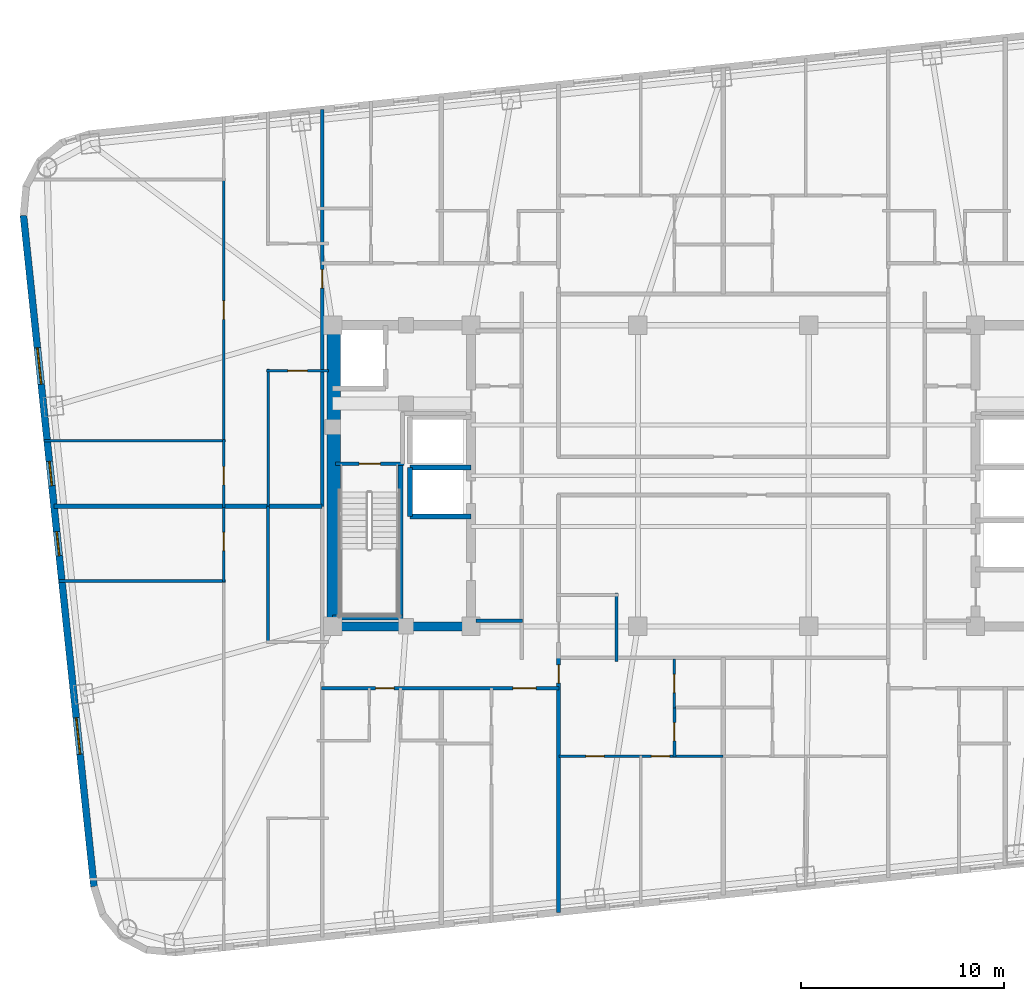
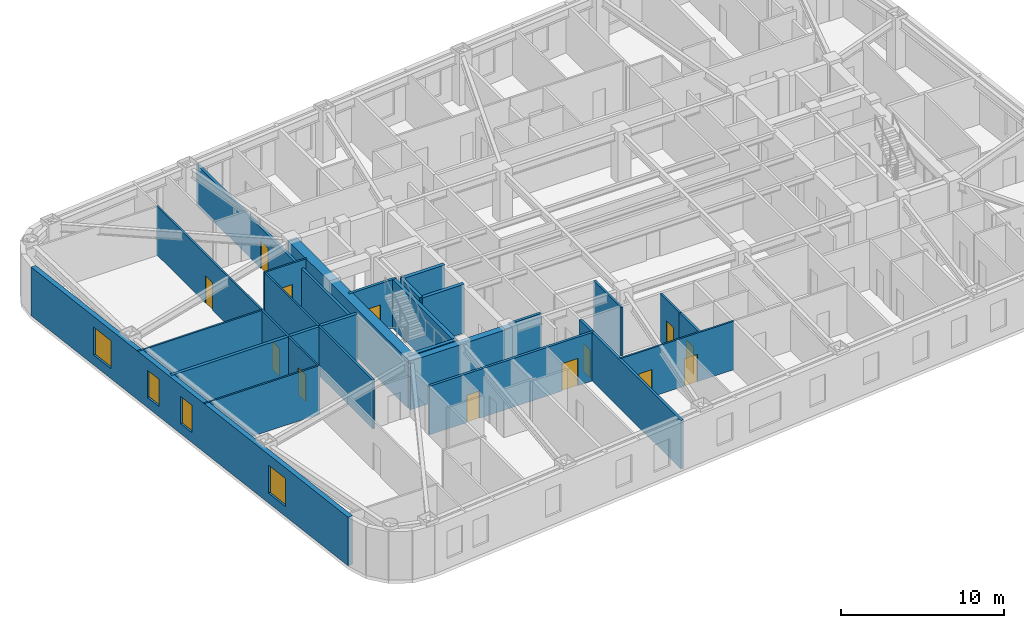
# One storey, part 3 of 11: 26 walls, 13 doors, 4 windows, 17 openings.
"""IFC4 building model written with IfcOpenShell, lengths in metres."""

from ifc_helpers import new_model, si_unit, direction, frame, frame_2d, origin, place, context, subcontext, project, spatial, rectangle, extrude, material, layer, layer_set, type_object, element, fill, save


model = new_model("IFC4")

# Units and contexts
model_context = context("Model", 3, precision=1e-05, world=origin(), true_north=direction((0.0, 1.0)))
body_context = subcontext(model_context, "Body", "Model", "MODEL_VIEW")
ifc_project = project(units=[si_unit("LENGTHUNIT", "METRE"), si_unit("AREAUNIT", "SQUARE_METRE"), si_unit("VOLUMEUNIT", "CUBIC_METRE"), si_unit("PLANEANGLEUNIT", "RADIAN"), si_unit("MASSUNIT", "GRAM", prefix="KILO")], contexts=[model_context])

# Site, building, storey
site_placement = place(None, origin())
site = spatial("IfcSite", under=ifc_project, at=site_placement, CompositionType="ELEMENT")
building_placement = place(site_placement, origin())
building = spatial("IfcBuilding", under=site, at=building_placement, Name="Voryun Gate Residences", CompositionType="ELEMENT")
storey_placement = place(building_placement, frame((0.0, 0.0, 156.0)))
storey = spatial("IfcBuildingStorey", under=building, at=storey_placement, Name="L38", CompositionType="ELEMENT", Elevation=156.0)

# Walls
ifc_material_1 = material(Name="Concrete C50/60", Category="concrete")
ifc_layer_1 = layer(ifc_material_1, 0.449951171875, Name="CW_CORE_450")
ifc_layer_set_1 = layer_set([ifc_layer_1], Name="Concrete C50/60")
wall_type_1 = type_object("IfcWallType", Name="CW_CORE_450", PredefinedType="SHEAR", material=ifc_layer_set_1)
wall_1_placement = place(storey_placement, frame((-19.425048828125, -7.39990234375, 0.0), z_axis=(0.0, 0.0, 1.0), x_axis=(1.0, 0.0, 0.0)))
element("IfcWall", 1, at=wall_1_placement, inside=storey, type_object=wall_type_1, Name="L38 Core shear wall CW-L38-WS", PredefinedType="SHEAR", context=body_context, shape_type="SweptSolid", body=[
    extrude(rectangle(XDim=7.25, YDim=0.449951171875, at=frame_2d((3.625, 0.0))), origin(), (0.0, 0.0, 1.0), 3.64990234375),
])
ifc_material_2 = material(Name="Concrete C60/75", Category="concrete")
ifc_layer_2 = layer(ifc_material_2, 0.64990234375, Name="CW_CORE_650")
ifc_layer_set_2 = layer_set([ifc_layer_2], Name="Concrete C60/75")
wall_type_2 = type_object("IfcWallType", Name="CW_CORE_650", PredefinedType="SHEAR", material=ifc_layer_set_2)
wall_2_placement = place(storey_placement, frame((-19.14501953125, -7.39990234375, 0.0), z_axis=(0.0, 0.0, 1.0), x_axis=(0.0, 1.0, 0.0)))
element("IfcWall", 2, at=wall_2_placement, inside=storey, type_object=wall_type_2, Name="L38 Core shear wall CW-L38-WW", PredefinedType="SHEAR", context=body_context, shape_type="SweptSolid", body=[
    extrude(rectangle(XDim=14.7998046875, YDim=0.64990234375, at=frame_2d((7.39990234375, 0.0))), origin(), (0.0, 0.0, 1.0), 3.64990234375),
])

# Wall, opening, door
ifc_material_3 = material(Name="Gypsum acoustic fireboard")
ifc_layer_3 = layer(ifc_material_3, 0.179931640625, Name="W_CORR_RATED_180")
ifc_layer_set_3 = layer_set([ifc_layer_3], Name="Gypsum acoustic fireboard")
wall_type_3 = type_object("IfcWallType", Name="W_CORR_RATED_180", PredefinedType="PARTITIONING", material=ifc_layer_set_3)
wall_3_placement = place(storey_placement, frame((-19.06005859375, 0.60009765625, 0.0), z_axis=(0.0, 0.0, 1.0), x_axis=(1.0, 0.0, 0.0)))
wall_3 = element("IfcWall", 3, at=wall_3_placement, inside=storey, type_object=wall_type_3, Name="Partition wall WP-L38-STV-W", PredefinedType="PARTITIONING", context=body_context, shape_type="SweptSolid", body=[
    extrude(rectangle(XDim=3.360107421875, YDim=0.179931640625, at=frame_2d((1.68017578125, 0.0))), origin(), (0.0, 0.0, 1.0), 3.64990234375),
])
opening_1_placement = place(wall_3_placement, frame((1.155029296875, 0.0, 0.0)))
opening_1 = element("IfcOpeningElement", 4, at=opening_1_placement, cuts=wall_3, Name="Opening D-FD60-1", PredefinedType="OPENING", context=body_context, shape_type="SweptSolid", body=[
    extrude(rectangle(XDim=1.050048828125, YDim=2.050048828125, at=frame_2d((0.52490234375, 1.02490234375))), frame((0.0, 0.099853515625, 0.0), z_axis=(0.0, -1.0, 0.0), x_axis=(1.0, 0.0, 0.0)), (0.0, 0.0, 1.0), 0.199951171875),
])
ifc_material_4 = material(Name="Painted steel fire door", Category="steel")
door_type_1 = type_object("IfcDoorType", Name="DR_FD60_STAIR_1050", OperationType="NOTDEFINED", PredefinedType="DOOR", material=ifc_material_4)
door_1_placement = place(opening_1_placement, origin())
door_1 = element("IfcDoor", 5, at=door_1_placement, inside=storey, type_object=door_type_1, Name="Door DR-L38-ST-W", OperationType="SINGLE_SWING_LEFT", OverallHeight=2.050048828125, OverallWidth=1.050048828125, PredefinedType="DOOR", context=body_context, shape_type="SweptSolid", body=[
    extrude(rectangle(XDim=1.050048828125, YDim=2.050048828125, at=frame_2d((0.52490234375, 1.02490234375))), frame((0.0, 0.02490234375, 0.0), z_axis=(0.0, -1.0, 0.0), x_axis=(1.0, 0.0, 0.0)), (0.0, 0.0, 1.0), 0.050048828125),
])
fill(opening_1, door_1)

# Wall
wall_4_placement = place(storey_placement, frame((-12.14990234375, -7.1201171875, 0.0), z_axis=(0.0, 0.0, 1.0), x_axis=(1.0, 0.0, 0.0)))
element("IfcWall", 6, at=wall_4_placement, inside=storey, type_object=wall_type_3, Name="Partition wall WP-L38-PLBS-W", PredefinedType="PARTITIONING", context=body_context, shape_type="SweptSolid", body=[
    extrude(rectangle(XDim=2.27001953125, YDim=0.179931640625, at=frame_2d((1.135009765625, 0.0))), origin(), (0.0, 0.0, 1.0), 3.64990234375),
])

# Wall, openings, doors
wall_5_placement = place(storey_placement, frame((-19.75, -10.449951171875, 0.0), z_axis=(0.0, 0.0, 1.0), x_axis=(1.0, 0.0, 0.0)))
wall_5 = element("IfcWall", 7, at=wall_5_placement, inside=storey, type_object=wall_type_3, Name="Partition wall WP-L38-SCORR-W", PredefinedType="PARTITIONING", context=body_context, shape_type="SweptSolid", body=[
    extrude(rectangle(XDim=11.669921875, YDim=0.179931640625, at=frame_2d((5.8349609375, 0.0))), origin(), (0.0, 0.0, 1.0), 3.64990234375),
])
opening_2_placement = place(wall_5_placement, frame((2.66357421875, 0.0, 0.0)))
opening_2 = element("IfcOpeningElement", 8, at=opening_2_placement, cuts=wall_5, Name="Opening D-INT-2", PredefinedType="OPENING", context=body_context, shape_type="SweptSolid", body=[
    extrude(rectangle(XDim=0.89990234375, YDim=2.050048828125, at=frame_2d((0.449951171875, 1.02490234375))), frame((0.0, 0.099853515625, 0.0), z_axis=(0.0, -1.0, 0.0), x_axis=(1.0, 0.0, 0.0)), (0.0, 0.0, 1.0), 0.199951171875),
])
opening_3_placement = place(wall_5_placement, frame((9.404052734375, 0.0, 0.0)))
opening_3 = element("IfcOpeningElement", 9, at=opening_3_placement, cuts=wall_5, Name="Opening D-UNIT-1", PredefinedType="OPENING", context=body_context, shape_type="SweptSolid", body=[
    extrude(rectangle(XDim=1.14990234375, YDim=2.050048828125, at=frame_2d((0.574951171875, 1.02490234375))), frame((0.0, 0.099853515625, 0.0), z_axis=(0.0, -1.0, 0.0), x_axis=(1.0, 0.0, 0.0)), (0.0, 0.0, 1.0), 0.199951171875),
])
ifc_material_5 = material(Name="Architectural oak veneer")
door_type_2 = type_object("IfcDoorType", Name="DR_INT_BATH_900", OperationType="NOTDEFINED", PredefinedType="DOOR", material=ifc_material_5)
door_2_placement = place(opening_2_placement, origin())
door_2 = element("IfcDoor", 10, at=door_2_placement, inside=storey, type_object=door_type_2, Name="Door DR-L38-SENT-1", OperationType="SINGLE_SWING_RIGHT", OverallHeight=2.050048828125, OverallWidth=0.89990234375, PredefinedType="DOOR", context=body_context, shape_type="SweptSolid", body=[
    extrude(rectangle(XDim=0.89990234375, YDim=2.050048828125, at=frame_2d((0.449951171875, 1.02490234375))), frame((0.0, 0.02490234375, 0.0), z_axis=(0.0, -1.0, 0.0), x_axis=(1.0, 0.0, 0.0)), (0.0, 0.0, 1.0), 0.050048828125),
])
fill(opening_2, door_2)
ifc_material_6 = material(Name="Armoured timber-clad fire door", Category="wood")
door_type_3 = type_object("IfcDoorType", Name="DR_UNIT_ENTRY_1150", OperationType="NOTDEFINED", PredefinedType="DOOR", material=ifc_material_6)
door_3_placement = place(opening_3_placement, origin())
door_3 = element("IfcDoor", 11, at=door_3_placement, inside=storey, type_object=door_type_3, Name="Door DR-L38-SENT-2", OperationType="SINGLE_SWING_LEFT", OverallHeight=2.050048828125, OverallWidth=1.14990234375, PredefinedType="DOOR", context=body_context, shape_type="SweptSolid", body=[
    extrude(rectangle(XDim=1.14990234375, YDim=2.050048828125, at=frame_2d((0.574951171875, 1.02490234375))), frame((0.0, 0.02490234375, 0.0), z_axis=(0.0, -1.0, 0.0), x_axis=(1.0, 0.0, 0.0)), (0.0, 0.0, 1.0), 0.050048828125),
])
fill(opening_3, door_3)

# Wall, opening, door
wall_6_placement = place(storey_placement, frame((-8.10009765625, -21.456298828125, 0.0), z_axis=(0.0, 0.0, 1.0), x_axis=(0.0, 1.0, 0.0)))
wall_6 = element("IfcWall", 12, at=wall_6_placement, inside=storey, type_object=wall_type_3, Name="Partition wall WP-L38-SZV-1", PredefinedType="PARTITIONING", context=body_context, shape_type="SweptSolid", body=[
    extrude(rectangle(XDim=12.516357421875, YDim=0.179931640625, at=frame_2d((6.25830078125, 0.0))), origin(), (0.0, 0.0, 1.0), 3.64990234375),
])
opening_4_placement = place(wall_6_placement, frame((11.2666015625, 0.0, 0.0)))
opening_4 = element("IfcOpeningElement", 13, at=opening_4_placement, cuts=wall_6, Name="Opening D-INT-2", PredefinedType="OPENING", context=body_context, shape_type="SweptSolid", body=[
    extrude(rectangle(XDim=0.89990234375, YDim=2.050048828125, at=frame_2d((0.449951171875, 1.02490234375))), frame((0.0, 0.099853515625, 0.0), z_axis=(0.0, -1.0, 0.0), x_axis=(1.0, 0.0, 0.0)), (0.0, 0.0, 1.0), 0.199951171875),
])
door_4_placement = place(opening_4_placement, origin())
door_4 = element("IfcDoor", 14, at=door_4_placement, inside=storey, type_object=door_type_2, Name="Door DR-L38-SZENT-1", OperationType="SINGLE_SWING_LEFT", OverallHeight=2.050048828125, OverallWidth=0.89990234375, PredefinedType="DOOR", context=body_context, shape_type="SweptSolid", body=[
    extrude(rectangle(XDim=0.89990234375, YDim=2.050048828125, at=frame_2d((0.449951171875, 1.02490234375))), frame((0.0, 0.02490234375, 0.0), z_axis=(0.0, -1.0, 0.0), x_axis=(1.0, 0.0, 0.0)), (0.0, 0.0, 1.0), 0.050048828125),
])
fill(opening_4, door_4)

wall_7_placement = place(storey_placement, frame((-19.719970703125, -1.5, 0.0), z_axis=(0.0, 0.0, 1.0), x_axis=(0.0, 1.0, 0.0)))
wall_7 = element("IfcWall", 15, at=wall_7_placement, inside=storey, type_object=wall_type_3, Name="Partition wall WP-L38-WCOR2", PredefinedType="PARTITIONING", context=body_context, shape_type="SweptSolid", body=[
    extrude(rectangle(XDim=19.505126953125, YDim=0.179931640625, at=frame_2d((9.75244140625, 0.0))), origin(), (0.0, 0.0, 1.0), 3.0400390625),
])
opening_5_placement = place(wall_7_placement, frame((10.730224609375, 0.0, 0.0)))
opening_5 = element("IfcOpeningElement", 16, at=opening_5_placement, cuts=wall_7, Name="Opening D-INT-2", PredefinedType="OPENING", context=body_context, shape_type="SweptSolid", body=[
    extrude(rectangle(XDim=0.89990234375, YDim=2.050048828125, at=frame_2d((0.449951171875, 1.02490234375))), frame((0.0, 0.099853515625, 0.0), z_axis=(0.0, -1.0, 0.0), x_axis=(1.0, 0.0, 0.0)), (0.0, 0.0, 1.0), 0.199951171875),
])
door_5_placement = place(opening_5_placement, origin())
door_5 = element("IfcDoor", 17, at=door_5_placement, inside=storey, type_object=door_type_2, Name="Door DR-L38-WE2", OperationType="SINGLE_SWING_RIGHT", OverallHeight=2.050048828125, OverallWidth=0.89990234375, PredefinedType="DOOR", context=body_context, shape_type="SweptSolid", body=[
    extrude(rectangle(XDim=0.89990234375, YDim=2.050048828125, at=frame_2d((0.449951171875, 1.02490234375))), frame((0.0, 0.02490234375, 0.0), z_axis=(0.0, -1.0, 0.0), x_axis=(1.0, 0.0, 0.0)), (0.0, 0.0, 1.0), 0.050048828125),
])
fill(opening_5, door_5)

# Wall, openings, windows
ifc_material_7 = material(Name="Charcoal terracotta masonry", Category="masonry")
ifc_layer_4 = layer(ifc_material_7, 0.340087890625, Name="W_EXT_TERRACOTTA_340")
ifc_layer_set_4 = layer_set([ifc_layer_4], Name="Charcoal terracotta masonry")
wall_type_4 = type_object("IfcWallType", Name="W_EXT_TERRACOTTA_340", PredefinedType="ELEMENTEDWALL", material=ifc_layer_set_4)
wall_8_placement = place(storey_placement, frame((-30.934326171875, -20.189697265625, 0.0), z_axis=(0.0, 0.0, 1.0), x_axis=(-0.10452691388, 0.994522058214, 0.0)))
wall_8 = element("IfcWall", 18, at=wall_8_placement, inside=storey, type_object=wall_type_4, Name="Exterior wall WEXT-L38-06", PredefinedType="ELEMENTEDWALL", context=body_context, shape_type="SweptSolid", body=[
    extrude(rectangle(XDim=33.16650390625, YDim=0.340087890625, at=frame_2d((16.583251953125, 0.0))), origin(), (0.0, 0.0, 1.0), 3.64990234375),
])
opening_6_placement = place(wall_8_placement, frame((6.54150390625, 0.0, 0.75)))
opening_6 = element("IfcOpeningElement", 19, at=opening_6_placement, cuts=wall_8, Name="Opening WN1", PredefinedType="OPENING", context=body_context, shape_type="SweptSolid", body=[
    extrude(rectangle(XDim=1.800048828125, YDim=2.10009765625, at=frame_2d((0.89990234375, 1.050048828125))), frame((0.0, 0.179931640625, 0.0), z_axis=(0.0, -1.0, 0.0), x_axis=(1.0, 0.0, 0.0)), (0.0, 0.0, 1.0), 0.360107421875),
])
opening_7_placement = place(wall_8_placement, frame((24.824951171875, 0.0, 0.75)))
opening_7 = element("IfcOpeningElement", 20, at=opening_7_placement, cuts=wall_8, Name="Opening WN1", PredefinedType="OPENING", context=body_context, shape_type="SweptSolid", body=[
    extrude(rectangle(XDim=1.800048828125, YDim=2.10009765625, at=frame_2d((0.89990234375, 1.050048828125))), frame((0.0, 0.179931640625, 0.0), z_axis=(0.0, -1.0, 0.0), x_axis=(1.0, 0.0, 0.0)), (0.0, 0.0, 1.0), 0.360107421875),
])
opening_8_placement = place(wall_8_placement, frame((16.344482421875, 0.0, 0.75)))
opening_8 = element("IfcOpeningElement", 21, at=opening_8_placement, cuts=wall_8, Name="Opening WN6", PredefinedType="OPENING", context=body_context, shape_type="SweptSolid", body=[
    extrude(rectangle(XDim=1.199951171875, YDim=2.050048828125, at=frame_2d((0.60009765625, 1.02490234375))), frame((0.0, 0.179931640625, 0.0), z_axis=(0.0, -1.0, 0.0), x_axis=(1.0, 0.0, 0.0)), (0.0, 0.0, 1.0), 0.360107421875),
])
opening_9_placement = place(wall_8_placement, frame((19.810546875, 0.0, 0.75)))
opening_9 = element("IfcOpeningElement", 22, at=opening_9_placement, cuts=wall_8, Name="Opening WN6", PredefinedType="OPENING", context=body_context, shape_type="SweptSolid", body=[
    extrude(rectangle(XDim=1.199951171875, YDim=2.050048828125, at=frame_2d((0.60009765625, 1.02490234375))), frame((0.0, 0.179931640625, 0.0), z_axis=(0.0, -1.0, 0.0), x_axis=(1.0, 0.0, 0.0)), (0.0, 0.0, 1.0), 0.360107421875),
])
ifc_material_8 = material(Name="Laminated low-E glass", Category="glass")
window_type_1 = type_object("IfcWindowType", Name="WN_POD_SLOT_1200", PartitioningType="SINGLE_PANEL", PredefinedType="WINDOW", material=ifc_material_8)
window_1_placement = place(opening_8_placement, origin())
window_1 = element("IfcWindow", 23, at=window_1_placement, inside=storey, type_object=window_type_1, Name="Window WN-L38-DWFIX-21", OverallHeight=2.050048828125, OverallWidth=1.199951171875, PartitioningType="SINGLE_PANEL", PredefinedType="WINDOW", context=body_context, shape_type="SweptSolid", body=[
    extrude(rectangle(XDim=1.199951171875, YDim=2.050048828125, at=frame_2d((0.60009765625, 1.02490234375))), frame((0.0, 0.030029296875, 0.0), z_axis=(0.0, -1.0, 0.0), x_axis=(1.0, 0.0, 0.0)), (0.0, 0.0, 1.0), 0.06005859375),
])
fill(opening_8, window_1)
window_2_placement = place(opening_9_placement, origin())
window_2 = element("IfcWindow", 24, at=window_2_placement, inside=storey, type_object=window_type_1, Name="Window WN-L38-DWFIX-25", OverallHeight=2.050048828125, OverallWidth=1.199951171875, PartitioningType="SINGLE_PANEL", PredefinedType="WINDOW", context=body_context, shape_type="SweptSolid", body=[
    extrude(rectangle(XDim=1.199951171875, YDim=2.050048828125, at=frame_2d((0.60009765625, 1.02490234375))), frame((0.0, 0.030029296875, 0.0), z_axis=(0.0, -1.0, 0.0), x_axis=(1.0, 0.0, 0.0)), (0.0, 0.0, 1.0), 0.06005859375),
])
fill(opening_9, window_2)
ifc_material_9 = material(Name="Laminated low-E glass", Category="glass")
window_type_2 = type_object("IfcWindowType", Name="WN_RES_PUNCH_1800", PartitioningType="SINGLE_PANEL", PredefinedType="WINDOW", material=ifc_material_9)
window_3_placement = place(opening_6_placement, origin())
window_3 = element("IfcWindow", 25, at=window_3_placement, inside=storey, type_object=window_type_2, Name="Window WN-WEXT-L38-06-01", OverallHeight=2.10009765625, OverallWidth=1.800048828125, PartitioningType="SINGLE_PANEL", PredefinedType="WINDOW", context=body_context, shape_type="SweptSolid", body=[
    extrude(rectangle(XDim=1.800048828125, YDim=2.10009765625, at=frame_2d((0.89990234375, 1.050048828125))), frame((0.0, 0.030029296875, 0.0), z_axis=(0.0, -1.0, 0.0), x_axis=(1.0, 0.0, 0.0)), (0.0, 0.0, 1.0), 0.06005859375),
])
fill(opening_6, window_3)
window_4_placement = place(opening_7_placement, origin())
window_4 = element("IfcWindow", 26, at=window_4_placement, inside=storey, type_object=window_type_2, Name="Window WN-WEXT-L38-06-02", OverallHeight=2.10009765625, OverallWidth=1.800048828125, PartitioningType="SINGLE_PANEL", PredefinedType="WINDOW", context=body_context, shape_type="SweptSolid", body=[
    extrude(rectangle(XDim=1.800048828125, YDim=2.10009765625, at=frame_2d((0.89990234375, 1.050048828125))), frame((0.0, 0.030029296875, 0.0), z_axis=(0.0, -1.0, 0.0), x_axis=(1.0, 0.0, 0.0)), (0.0, 0.0, 1.0), 0.06005859375),
])
fill(opening_7, window_4)

# Walls
ifc_material_10 = material(Name="Concrete C40/50", Category="concrete")
ifc_layer_5 = layer(ifc_material_10, 0.219970703125, Name="W_PARTY_ACOUSTIC_220")
ifc_layer_set_5 = layer_set([ifc_layer_5], Name="Concrete C40/50")
wall_type_5 = type_object("IfcWallType", Name="W_PARTY_ACOUSTIC_220", PredefinedType="PARTITIONING", material=ifc_layer_set_5)
wall_9_placement = place(storey_placement, frame((-19.719970703125, -1.5, 0.0), z_axis=(0.0, 0.0, 1.0), x_axis=(-1.0, 0.0, 0.0)))
element("IfcWall", 27, at=wall_9_placement, inside=storey, type_object=wall_type_5, Name="Partition wall WP-L38-WPTY", PredefinedType="PARTITIONING", context=body_context, shape_type="SweptSolid", body=[
    extrude(rectangle(XDim=13.1787109375, YDim=0.219970703125, at=frame_2d((6.58935546875, 0.0))), origin(), (0.0, 0.0, 1.0), 3.64990234375),
])
ifc_material_11 = material(Name="Concrete C50/60", Category="concrete")
ifc_layer_6 = layer(ifc_material_11, 0.25, Name="W_SHAFT_RC250")
ifc_layer_set_6 = layer_set([ifc_layer_6], Name="Concrete C50/60")
wall_type_6 = type_object("IfcWallType", Name="W_SHAFT_RC250", PredefinedType="SOLIDWALL", material=ifc_layer_set_6)
wall_10_placement = place(storey_placement, frame((-15.860107421875, -7.0849609375, 0.0), z_axis=(0.0, 0.0, 1.0), x_axis=(0.0, 1.0, 0.0)))
element("IfcWall", 28, at=wall_10_placement, inside=storey, type_object=wall_type_6, Name="L38 Stair shaft structural wall W-STR", PredefinedType="SOLIDWALL", context=body_context, shape_type="SweptSolid", body=[
    extrude(rectangle(XDim=7.68505859375, YDim=0.25, at=frame_2d((3.842529296875, 0.0))), origin(), (0.0, 0.0, 1.0), 3.64990234375),
])
wall_11_placement = place(storey_placement, frame((-19.199951171875, -6.965087890625, 0.0), z_axis=(0.0, 0.0, 1.0), x_axis=(1.0, 0.0, 0.0)))
element("IfcWall", 29, at=wall_11_placement, inside=storey, type_object=wall_type_6, Name="L38 Stair shaft structural wall W-STS", PredefinedType="SOLIDWALL", context=body_context, shape_type="SweptSolid", body=[
    extrude(rectangle(XDim=3.4599609375, YDim=0.25, at=frame_2d((1.72998046875, 0.0))), origin(), (0.0, 0.0, 1.0), 3.64990234375),
])
for number, where, z_axis, x_axis, name in (
    (30, (-15.39990234375, -2.0, 0.0), (0.0, 0.0, 1.0), (1.0, 0.0, 0.0), "Lift shaft wall WSH-L38-EL-P4-S"),
    (31, (-12.39990234375, 0.39990234375, 0.0), (0.0, 0.0, 1.0), (-1.0, 0.0, 0.0), "Lift shaft wall WSH-L38-EL-P4-N"),
):
    element("IfcWall", number, at=place(storey_placement, frame(where, z_axis=z_axis, x_axis=x_axis)), inside=storey, type_object=wall_type_6, Name=name, PredefinedType="SOLIDWALL", context=body_context, shape_type="SweptSolid", body=[
        extrude(rectangle(XDim=3.0, YDim=0.25, at=frame_2d((1.5, 0.0))), origin(), (0.0, 0.0, 1.0), 3.64990234375),
    ])
wall_12_placement = place(storey_placement, frame((-15.39990234375, 0.39990234375, 0.0), z_axis=(0.0, 0.0, 1.0), x_axis=(0.0, -1.0, 0.0)))
element("IfcWall", 32, at=wall_12_placement, inside=storey, type_object=wall_type_6, Name="Lift shaft wall WSH-L38-EL-P4-W", PredefinedType="SOLIDWALL", context=body_context, shape_type="SweptSolid", body=[
    extrude(rectangle(XDim=2.39990234375, YDim=0.25, at=frame_2d((1.199951171875, 0.0))), origin(), (0.0, 0.0, 1.0), 3.64990234375),
])

# Wall, openings, doors
ifc_material_12 = material(Name="Gypsum acoustic partition")
ifc_layer_7 = layer(ifc_material_12, 0.125, Name="W_UNIT_PART_125")
ifc_layer_set_7 = layer_set([ifc_layer_7], Name="Gypsum acoustic partition")
wall_type_7 = type_object("IfcWallType", Name="W_UNIT_PART_125", PredefinedType="PARTITIONING", material=ifc_layer_set_7)
wall_13_placement = place(storey_placement, frame((-8.080078125, -13.780029296875, 0.0), z_axis=(0.0, 0.0, 1.0), x_axis=(1.0, 0.0, 0.0)))
wall_13 = element("IfcWall", 33, at=wall_13_placement, inside=storey, type_object=wall_type_7, Name="Partition wall WP-L38-SC1-HZ", PredefinedType="PARTITIONING", context=body_context, shape_type="SweptSolid", body=[
    extrude(rectangle(XDim=8.06005859375, YDim=0.125, at=frame_2d((4.030029296875, 0.0))), origin(), (0.0, 0.0, 1.0), 3.64990234375),
])
opening_10_placement = place(wall_13_placement, frame((1.3232421875, 0.0, 0.0)))
opening_10 = element("IfcOpeningElement", 34, at=opening_10_placement, cuts=wall_13, Name="Opening D-INT-2", PredefinedType="OPENING", context=body_context, shape_type="SweptSolid", body=[
    extrude(rectangle(XDim=0.89990234375, YDim=2.050048828125, at=frame_2d((0.449951171875, 1.02490234375))), frame((0.0, 0.072509765625, 0.0), z_axis=(0.0, -1.0, 0.0), x_axis=(1.0, 0.0, 0.0)), (0.0, 0.0, 1.0), 0.14501953125),
])
opening_11_placement = place(wall_13_placement, frame((4.547119140625, 0.0, 0.0)))
opening_11 = element("IfcOpeningElement", 35, at=opening_11_placement, cuts=wall_13, Name="Opening D-INT-2", PredefinedType="OPENING", context=body_context, shape_type="SweptSolid", body=[
    extrude(rectangle(XDim=0.89990234375, YDim=2.050048828125, at=frame_2d((0.449951171875, 1.02490234375))), frame((0.0, 0.072509765625, 0.0), z_axis=(0.0, -1.0, 0.0), x_axis=(1.0, 0.0, 0.0)), (0.0, 0.0, 1.0), 0.14501953125),
])
door_6_placement = place(opening_10_placement, origin())
door_6 = element("IfcDoor", 36, at=door_6_placement, inside=storey, type_object=door_type_2, Name="Door DR-L38-SC1-DMB", OperationType="SINGLE_SWING_LEFT", OverallHeight=2.050048828125, OverallWidth=0.89990234375, PredefinedType="DOOR", context=body_context, shape_type="SweptSolid", body=[
    extrude(rectangle(XDim=0.89990234375, YDim=2.050048828125, at=frame_2d((0.449951171875, 1.02490234375))), frame((0.0, 0.02490234375, 0.0), z_axis=(0.0, -1.0, 0.0), x_axis=(1.0, 0.0, 0.0)), (0.0, 0.0, 1.0), 0.050048828125),
])
fill(opening_10, door_6)
door_7_placement = place(opening_11_placement, origin())
door_7 = element("IfcDoor", 37, at=door_7_placement, inside=storey, type_object=door_type_2, Name="Door DR-L38-SC1-DBD2", OperationType="SINGLE_SWING_RIGHT", OverallHeight=2.050048828125, OverallWidth=0.89990234375, PredefinedType="DOOR", context=body_context, shape_type="SweptSolid", body=[
    extrude(rectangle(XDim=0.89990234375, YDim=2.050048828125, at=frame_2d((0.449951171875, 1.02490234375))), frame((0.0, 0.02490234375, 0.0), z_axis=(0.0, -1.0, 0.0), x_axis=(1.0, 0.0, 0.0)), (0.0, 0.0, 1.0), 0.050048828125),
])
fill(opening_11, door_7)

# Wall, opening, door
wall_14_placement = place(storey_placement, frame((-2.409912109375, -11.409912109375, 0.0), z_axis=(0.0, 0.0, 1.0), x_axis=(0.0, 1.0, 0.0)))
wall_14 = element("IfcWall", 38, at=wall_14_placement, inside=storey, type_object=wall_type_7, Name="Partition wall WP-L38-SC1-VK1", PredefinedType="PARTITIONING", context=body_context, shape_type="SweptSolid", body=[
    extrude(rectangle(XDim=2.409912109375, YDim=0.125, at=frame_2d((1.205078125, 0.0))), origin(), (0.0, 0.0, 1.0), 3.64990234375),
])
opening_12_placement = place(wall_14_placement, frame((0.7548828125, 0.0, 0.0)))
opening_12 = element("IfcOpeningElement", 39, at=opening_12_placement, cuts=wall_14, Name="Opening D-INT-2", PredefinedType="OPENING", context=body_context, shape_type="SweptSolid", body=[
    extrude(rectangle(XDim=0.89990234375, YDim=2.050048828125, at=frame_2d((0.449951171875, 1.02490234375))), frame((0.0, 0.072509765625, 0.0), z_axis=(0.0, -1.0, 0.0), x_axis=(1.0, 0.0, 0.0)), (0.0, 0.0, 1.0), 0.14501953125),
])
door_8_placement = place(opening_12_placement, origin())
door_8 = element("IfcDoor", 40, at=door_8_placement, inside=storey, type_object=door_type_2, Name="Door DR-L38-SC1-DK", OperationType="SINGLE_SWING_LEFT", OverallHeight=2.050048828125, OverallWidth=0.89990234375, PredefinedType="DOOR", context=body_context, shape_type="SweptSolid", body=[
    extrude(rectangle(XDim=0.89990234375, YDim=2.050048828125, at=frame_2d((0.449951171875, 1.02490234375))), frame((0.0, 0.02490234375, 0.0), z_axis=(0.0, -1.0, 0.0), x_axis=(1.0, 0.0, 0.0)), (0.0, 0.0, 1.0), 0.050048828125),
])
fill(opening_12, door_8)

# Wall
wall_15_placement = place(storey_placement, frame((-32.66357421875, -5.1708984375, 0.0), z_axis=(0.0, 0.0, 1.0), x_axis=(1.0, 0.0, 0.0)))
element("IfcWall", 41, at=wall_15_placement, inside=storey, type_object=wall_type_7, Name="Partition wall WP-L38-W1-OH2", PredefinedType="PARTITIONING", context=body_context, shape_type="SweptSolid", body=[
    extrude(rectangle(XDim=8.193603515625, YDim=0.125, at=frame_2d((4.0966796875, 0.0))), origin(), (0.0, 0.0, 1.0), 3.64990234375),
])

# Wall, opening, door
wall_16_placement = place(storey_placement, frame((-24.550048828125, -5.220947265625, 0.0), z_axis=(0.0, 0.0, 1.0), x_axis=(0.0, 1.0, 0.0)))
wall_16 = element("IfcWall", 42, at=wall_16_placement, inside=storey, type_object=wall_type_7, Name="Partition wall WP-L38-W1-OVX3", PredefinedType="PARTITIONING", context=body_context, shape_type="SweptSolid", body=[
    extrude(rectangle(XDim=3.783447265625, YDim=0.125, at=frame_2d((1.8916015625, 0.0))), origin(), (0.0, 0.0, 1.0), 3.64990234375),
])
opening_13_placement = place(wall_16_placement, frame((1.54052734375, 0.0, 0.0)))
opening_13 = element("IfcOpeningElement", 43, at=opening_13_placement, cuts=wall_16, Name="Opening D-INT-2", PredefinedType="OPENING", context=body_context, shape_type="SweptSolid", body=[
    extrude(rectangle(XDim=0.89990234375, YDim=2.050048828125, at=frame_2d((0.449951171875, 1.02490234375))), frame((0.0, 0.072509765625, 0.0), z_axis=(0.0, -1.0, 0.0), x_axis=(1.0, 0.0, 0.0)), (0.0, 0.0, 1.0), 0.14501953125),
])
door_9_placement = place(opening_13_placement, origin())
door_9 = element("IfcDoor", 44, at=door_9_placement, inside=storey, type_object=door_type_2, Name="Door DR-L38-W1-DMB", OperationType="SINGLE_SWING_LEFT", OverallHeight=2.050048828125, OverallWidth=0.89990234375, PredefinedType="DOOR", context=body_context, shape_type="SweptSolid", body=[
    extrude(rectangle(XDim=0.89990234375, YDim=2.050048828125, at=frame_2d((0.449951171875, 1.02490234375))), frame((0.0, 0.02490234375, 0.0), z_axis=(0.0, -1.0, 0.0), x_axis=(1.0, 0.0, 0.0)), (0.0, 0.0, 1.0), 0.050048828125),
])
fill(opening_13, door_9)

# Wall
wall_17_placement = place(storey_placement, frame((-33.38818359375, 1.722900390625, 0.0), z_axis=(0.0, 0.0, 1.0), x_axis=(1.0, 0.0, 0.0)))
element("IfcWall", 45, at=wall_17_placement, inside=storey, type_object=wall_type_7, Name="Partition wall WP-L38-W2-OH1", PredefinedType="PARTITIONING", context=body_context, shape_type="SweptSolid", body=[
    extrude(rectangle(XDim=8.918212890625, YDim=0.125, at=frame_2d((4.458984375, 0.0))), origin(), (0.0, 0.0, 1.0), 3.64990234375),
])

# Wall, opening, door
wall_18_placement = place(storey_placement, frame((-24.550048828125, -1.5625, 0.0), z_axis=(0.0, 0.0, 1.0), x_axis=(0.0, 1.0, 0.0)))
wall_18 = element("IfcWall", 46, at=wall_18_placement, inside=storey, type_object=wall_type_7, Name="Partition wall WP-L38-W2-OVX1", PredefinedType="PARTITIONING", context=body_context, shape_type="SweptSolid", body=[
    extrude(rectangle(XDim=3.33544921875, YDim=0.125, at=frame_2d((1.667724609375, 0.0))), origin(), (0.0, 0.0, 1.0), 3.64990234375),
])
opening_14_placement = place(wall_18_placement, frame((1.118896484375, 0.0, 0.0)))
opening_14 = element("IfcOpeningElement", 47, at=opening_14_placement, cuts=wall_18, Name="Opening D-INT-2", PredefinedType="OPENING", context=body_context, shape_type="SweptSolid", body=[
    extrude(rectangle(XDim=0.89990234375, YDim=2.050048828125, at=frame_2d((0.449951171875, 1.02490234375))), frame((0.0, 0.072509765625, 0.0), z_axis=(0.0, -1.0, 0.0), x_axis=(1.0, 0.0, 0.0)), (0.0, 0.0, 1.0), 0.14501953125),
])
door_10_placement = place(opening_14_placement, origin())
door_10 = element("IfcDoor", 48, at=door_10_placement, inside=storey, type_object=door_type_2, Name="Door DR-L38-W2-DBD2", OperationType="SINGLE_SWING_LEFT", OverallHeight=2.050048828125, OverallWidth=0.89990234375, PredefinedType="DOOR", context=body_context, shape_type="SweptSolid", body=[
    extrude(rectangle(XDim=0.89990234375, YDim=2.050048828125, at=frame_2d((0.449951171875, 1.02490234375))), frame((0.0, 0.02490234375, 0.0), z_axis=(0.0, -1.0, 0.0), x_axis=(1.0, 0.0, 0.0)), (0.0, 0.0, 1.0), 0.050048828125),
])
fill(opening_14, door_10)

wall_19_placement = place(storey_placement, frame((-24.550048828125, 1.673095703125, 0.0), z_axis=(0.0, 0.0, 1.0), x_axis=(0.0, 1.0, 0.0)))
wall_19 = element("IfcWall", 49, at=wall_19_placement, inside=storey, type_object=wall_type_7, Name="Partition wall WP-L38-W2-OVX2", PredefinedType="PARTITIONING", context=body_context, shape_type="SweptSolid", body=[
    extrude(rectangle(XDim=12.94189453125, YDim=0.125, at=frame_2d((6.470947265625, 0.0))), origin(), (0.0, 0.0, 1.0), 3.64990234375),
])
opening_15_placement = place(wall_19_placement, frame((6.02099609375, 0.0, 0.0)))
opening_15 = element("IfcOpeningElement", 50, at=opening_15_placement, cuts=wall_19, Name="Opening D-INT-2", PredefinedType="OPENING", context=body_context, shape_type="SweptSolid", body=[
    extrude(rectangle(XDim=0.89990234375, YDim=2.050048828125, at=frame_2d((0.449951171875, 1.02490234375))), frame((0.0, 0.072509765625, 0.0), z_axis=(0.0, -1.0, 0.0), x_axis=(1.0, 0.0, 0.0)), (0.0, 0.0, 1.0), 0.14501953125),
])
door_11_placement = place(opening_15_placement, origin())
door_11 = element("IfcDoor", 51, at=door_11_placement, inside=storey, type_object=door_type_2, Name="Door DR-L38-W2-DSTD", OperationType="SINGLE_SWING_RIGHT", OverallHeight=2.050048828125, OverallWidth=0.89990234375, PredefinedType="DOOR", context=body_context, shape_type="SweptSolid", body=[
    extrude(rectangle(XDim=0.89990234375, YDim=2.050048828125, at=frame_2d((0.449951171875, 1.02490234375))), frame((0.0, 0.02490234375, 0.0), z_axis=(0.0, -1.0, 0.0), x_axis=(1.0, 0.0, 0.0)), (0.0, 0.0, 1.0), 0.050048828125),
])
fill(opening_15, door_11)

wall_20_placement = place(storey_placement, frame((-22.449951171875, 5.159912109375, 0.0), z_axis=(0.0, 0.0, 1.0), x_axis=(1.0, 0.0, 0.0)))
wall_20 = element("IfcWall", 52, at=wall_20_placement, inside=storey, type_object=wall_type_7, Name="Partition wall WP-L38-W2-IKA", PredefinedType="PARTITIONING", context=body_context, shape_type="SweptSolid", body=[
    extrude(rectangle(XDim=3.050048828125, YDim=0.125, at=frame_2d((1.52490234375, 0.0))), origin(), (0.0, 0.0, 1.0), 3.64990234375),
])
opening_16_placement = place(wall_20_placement, frame((1.050048828125, 0.0, 0.0)))
opening_16 = element("IfcOpeningElement", 53, at=opening_16_placement, cuts=wall_20, Name="Opening D-INT-1", PredefinedType="OPENING", context=body_context, shape_type="SweptSolid", body=[
    extrude(rectangle(XDim=0.949951171875, YDim=2.050048828125, at=frame_2d((0.47509765625, 1.02490234375))), frame((0.0, 0.072509765625, 0.0), z_axis=(0.0, -1.0, 0.0), x_axis=(1.0, 0.0, 0.0)), (0.0, 0.0, 1.0), 0.14501953125),
])
ifc_material_13 = material(Name="Architectural oak veneer")
door_type_4 = type_object("IfcDoorType", Name="DR_INT_ROOM_950", OperationType="NOTDEFINED", PredefinedType="DOOR", material=ifc_material_13)
door_12_placement = place(opening_16_placement, origin())
door_12 = element("IfcDoor", 54, at=door_12_placement, inside=storey, type_object=door_type_4, Name="Door DR-L38-W2-DK", OperationType="SINGLE_SWING_LEFT", OverallHeight=2.050048828125, OverallWidth=0.949951171875, PredefinedType="DOOR", context=body_context, shape_type="SweptSolid", body=[
    extrude(rectangle(XDim=0.949951171875, YDim=2.050048828125, at=frame_2d((0.47509765625, 1.02490234375))), frame((0.0, 0.02490234375, 0.0), z_axis=(0.0, -1.0, 0.0), x_axis=(1.0, 0.0, 0.0)), (0.0, 0.0, 1.0), 0.050048828125),
])
fill(opening_16, door_12)

# Walls
wall_21_placement = place(storey_placement, frame((-22.3701171875, -1.47998046875, 0.0), z_axis=(0.0, 0.0, 1.0), x_axis=(0.0, 1.0, 0.0)))
element("IfcWall", 55, at=wall_21_placement, inside=storey, type_object=wall_type_7, Name="Partition wall WP-L38-W2-VTA", PredefinedType="PARTITIONING", context=body_context, shape_type="SweptSolid", body=[
    extrude(rectangle(XDim=6.719970703125, YDim=0.125, at=frame_2d((3.35986328125, 0.0))), origin(), (0.0, 0.0, 1.0), 3.64990234375),
])
ifc_material_14 = material(Name="Gypsum moisture-resistant partition")
ifc_layer_8 = layer(ifc_material_14, 0.14990234375, Name="W_WET_PLUMB_150")
ifc_layer_set_8 = layer_set([ifc_layer_8], Name="Gypsum moisture-resistant partition")
wall_type_8 = type_object("IfcWallType", Name="W_WET_PLUMB_150", PredefinedType="PLUMBINGWALL", material=ifc_layer_set_8)
wall_22_placement = place(storey_placement, frame((-5.260009765625, -9.1201171875, 0.0), z_axis=(0.0, 0.0, 1.0), x_axis=(0.0, 1.0, 0.0)))
element("IfcWall", 56, at=wall_22_placement, inside=storey, type_object=wall_type_8, Name="Partition wall WP-L38-CMWCX", PredefinedType="PLUMBINGWALL", context=body_context, shape_type="SweptSolid", body=[
    extrude(rectangle(XDim=3.35009765625, YDim=0.14990234375, at=frame_2d((1.675048828125, 0.0))), origin(), (0.0, 0.0, 1.0), 3.64990234375),
])

# Wall, opening, door
wall_23_placement = place(storey_placement, frame((-2.409912109375, -13.820068359375, 0.0), z_axis=(0.0, 0.0, 1.0), x_axis=(0.0, 1.0, 0.0)))
wall_23 = element("IfcWall", 57, at=wall_23_placement, inside=storey, type_object=wall_type_8, Name="Partition wall WP-L38-SC1-VK2", PredefinedType="PLUMBINGWALL", context=body_context, shape_type="SweptSolid", body=[
    extrude(rectangle(XDim=2.469970703125, YDim=0.14990234375, at=frame_2d((1.23486328125, 0.0))), origin(), (0.0, 0.0, 1.0), 3.64990234375),
])
opening_17_placement = place(wall_23_placement, frame((0.784912109375, 0.0, 0.0)))
opening_17 = element("IfcOpeningElement", 58, at=opening_17_placement, cuts=wall_23, Name="Opening D-INT-2", PredefinedType="OPENING", context=body_context, shape_type="SweptSolid", body=[
    extrude(rectangle(XDim=0.89990234375, YDim=2.050048828125, at=frame_2d((0.449951171875, 1.02490234375))), frame((0.0, 0.0849609375, 0.0), z_axis=(0.0, -1.0, 0.0), x_axis=(1.0, 0.0, 0.0)), (0.0, 0.0, 1.0), 0.169921875),
])
door_13_placement = place(opening_17_placement, origin())
door_13 = element("IfcDoor", 59, at=door_13_placement, inside=storey, type_object=door_type_2, Name="Door DR-L38-SC1-DB", OperationType="SINGLE_SWING_RIGHT", OverallHeight=2.050048828125, OverallWidth=0.89990234375, PredefinedType="DOOR", context=body_context, shape_type="SweptSolid", body=[
    extrude(rectangle(XDim=0.89990234375, YDim=2.050048828125, at=frame_2d((0.449951171875, 1.02490234375))), frame((0.0, 0.02490234375, 0.0), z_axis=(0.0, -1.0, 0.0), x_axis=(1.0, 0.0, 0.0)), (0.0, 0.0, 1.0), 0.050048828125),
])
fill(opening_17, door_13)

# Wall
wall_24_placement = place(storey_placement, frame((-22.3701171875, -8.239990234375, 0.0), z_axis=(0.0, 0.0, 1.0), x_axis=(0.0, 1.0, 0.0)))
element("IfcWall", 60, at=wall_24_placement, inside=storey, type_object=wall_type_8, Name="Partition wall WP-L38-W1-VTB", PredefinedType="PLUMBINGWALL", context=body_context, shape_type="SweptSolid", body=[
    extrude(rectangle(XDim=6.719970703125, YDim=0.14990234375, at=frame_2d((3.35986328125, 0.0))), origin(), (0.0, 0.0, 1.0), 3.64990234375),
])

save(model, "model.ifc")
